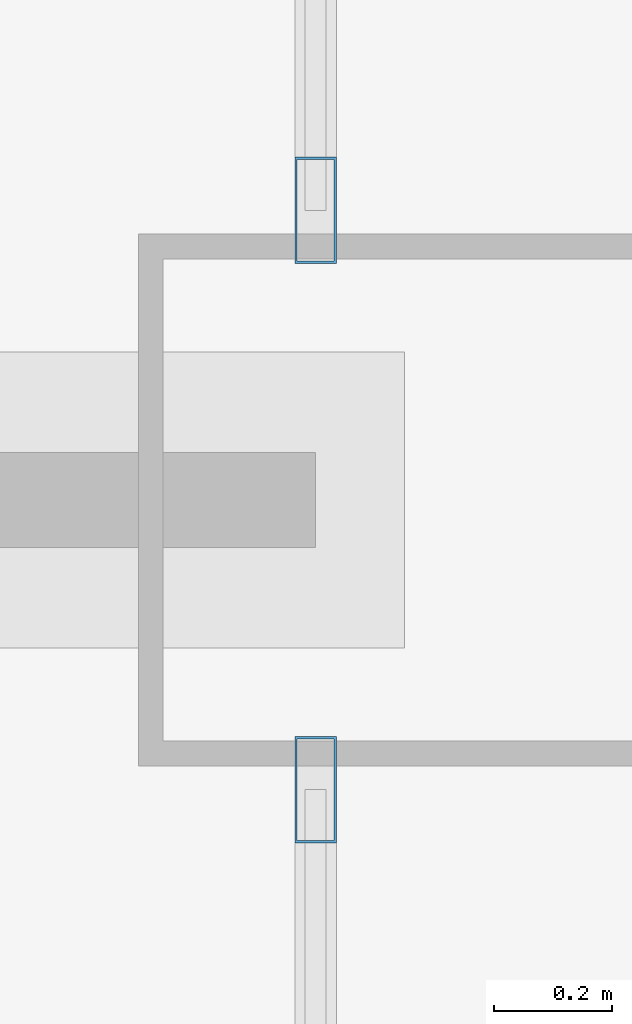
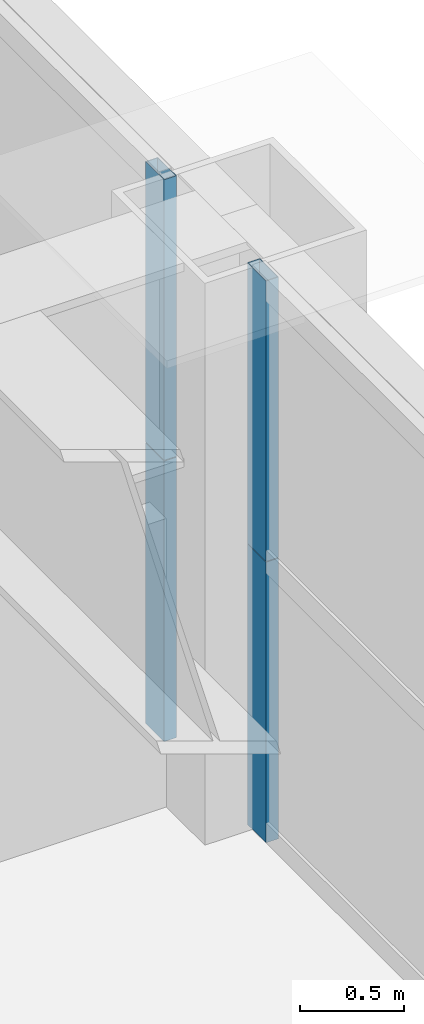
# One storey, part 24 of 45: 4 members, 2 elements without a shape of their own.
"""IFC4 building model written with IfcOpenShell, lengths in metres."""

from ifc_helpers import new_model, si_unit, direction, frame, origin, origin_2d, place, context, subcontext, project, spatial, hollow_rectangle, extrude, source, transform, mapped, material, layer, layer_set, material_profile, profile_set, type_object, element, aggregate, save


model = new_model("IFC4")

# Units and contexts
model_context = context("Model", 3, precision=1e-05, world=origin(), true_north=direction((0.0, 1.0)))
body_context = subcontext(model_context, "Body", "Model", "MODEL_VIEW")
ifc_project = project(units=[si_unit("LENGTHUNIT", "METRE"), si_unit("AREAUNIT", "SQUARE_METRE"), si_unit("VOLUMEUNIT", "CUBIC_METRE"), si_unit("PLANEANGLEUNIT", "RADIAN"), si_unit("MASSUNIT", "GRAM", prefix="KILO"), si_unit("THERMODYNAMICTEMPERATUREUNIT", "KELVIN"), si_unit("POWERUNIT", "WATT")], contexts=[model_context])

# Site, building, storey
site_placement = place(None, origin())
site = spatial("IfcSite", under=ifc_project, at=site_placement, CompositionType="ELEMENT")
building_placement = place(site_placement, origin())
building = spatial("IfcBuilding", under=site, at=building_placement, Name="Yuzanri Waterfront Tower", CompositionType="ELEMENT")
storey_placement = place(building_placement, frame((0.0, 0.0, 163.199951171875)))
storey = spatial("IfcBuildingStorey", under=building, at=storey_placement, Name="L43", CompositionType="ELEMENT", Elevation=163.199951171875)

# Curtain wall, members
ifc_material_1 = material(Name="Anodized Architectural Bronze", Category="metal")
ifc_layer = layer(ifc_material_1, 0.159912109375)
ifc_layer_set = layer_set([ifc_layer], Name="Anodized Architectural Bronze")
curtain_wall_type = type_object("IfcCurtainWallType", Name="Anodized Bronze Hotel Upper-Tier Solar-Control Unitized Curtain Wall 7800", PredefinedType="NOTDEFINED", material=ifc_layer_set)
curtain_wall_1_placement = place(storey_placement, origin())
curtain_wall_1 = element("IfcCurtainWall", 1, at=curtain_wall_1_placement, inside=storey, type_object=curtain_wall_type, Name="L43 Curtain Wall CW-L43-EL", PredefinedType="NOTDEFINED")
ifc_material_2 = material(Name="Anodized Architectural Bronze", Category="metal")
ifc_material_profile = material_profile(ifc_material_2, hollow_rectangle(XDim=0.070068359375, YDim=0.179931640625, WallThickness=0.00390625, at=origin_2d()), Name="CWM 70x180")
ifc_profile_set = profile_set([ifc_material_profile], Name="Anodized Architectural Bronze")
member_type = type_object("IfcMemberType", Name="Anodized Bronze Standard Curtain-Wall Mullion 70x180", PredefinedType="MULLION", material=ifc_profile_set)
shared_shape = source(origin(), body_context, "Body", "SweptSolid", [
    extrude(hollow_rectangle(XDim=0.070068359375, YDim=0.179931640625, WallThickness=0.00390625, at=origin_2d()), origin(), (0.0, 0.0, 1.0), 1.64794921875),
])
member_1_placement = place(storey_placement, frame((60.449951171875, 25.31005859375, 0.0), z_axis=(0.0, 0.0, 1.0), x_axis=(1.0, 0.0, 0.0)))
member_1 = element("IfcMember", 2, at=member_1_placement, type_object=member_type, Name="CW-L43-EL Lower Mullion 02", PredefinedType="MULLION", context=body_context, shape_type="MappedRepresentation", body=[
    mapped(shared_shape, transform((0.0, 0.0, 0.0), scale=1.0)),
])
member_2_placement = place(storey_placement, frame((60.449951171875, 25.31005859375, 1.652099609375), z_axis=(0.0, 0.0, 1.0), x_axis=(1.0, 0.0, 0.0)))
member_2 = element("IfcMember", 3, at=member_2_placement, type_object=member_type, Name="CW-L43-EL Upper Mullion 02", PredefinedType="MULLION", context=body_context, shape_type="MappedRepresentation", body=[
    mapped(shared_shape, transform((0.0, 0.0, 0.0), scale=1.0)),
])
aggregate(curtain_wall_1, [member_1, member_2])

curtain_wall_2_placement = place(storey_placement, origin())
curtain_wall_2 = element("IfcCurtainWall", 4, at=curtain_wall_2_placement, inside=storey, type_object=curtain_wall_type, Name="L43 Curtain Wall CW-L43-ER", PredefinedType="NOTDEFINED")
member_3_placement = place(storey_placement, frame((60.449951171875, 26.2900390625, 0.0), z_axis=(0.0, 0.0, 1.0), x_axis=(1.0, 0.0, 0.0)))
member_3 = element("IfcMember", 5, at=member_3_placement, type_object=member_type, Name="CW-L43-ER Lower Mullion 00", PredefinedType="MULLION", context=body_context, shape_type="MappedRepresentation", body=[
    mapped(shared_shape, transform((0.0, 0.0, 0.0), scale=1.0)),
])
member_4_placement = place(storey_placement, frame((60.449951171875, 26.2900390625, 1.652099609375), z_axis=(0.0, 0.0, 1.0), x_axis=(1.0, 0.0, 0.0)))
member_4 = element("IfcMember", 6, at=member_4_placement, type_object=member_type, Name="CW-L43-ER Upper Mullion 00", PredefinedType="MULLION", context=body_context, shape_type="MappedRepresentation", body=[
    mapped(shared_shape, transform((0.0, 0.0, 0.0), scale=1.0)),
])
aggregate(curtain_wall_2, [member_3, member_4])

save(model, "model.ifc")
